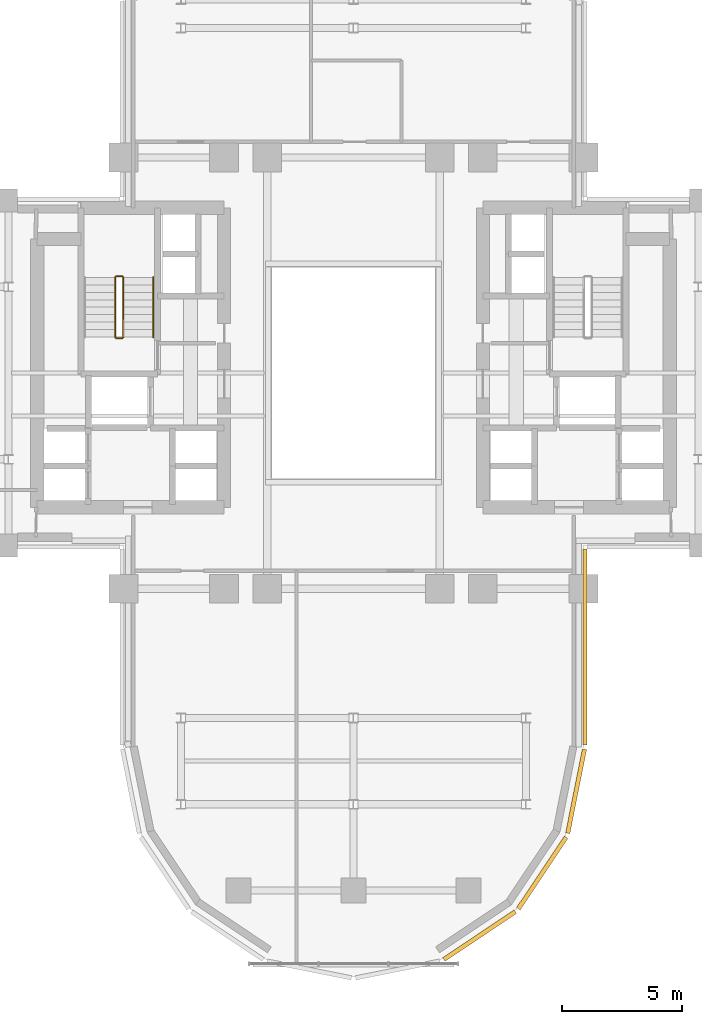
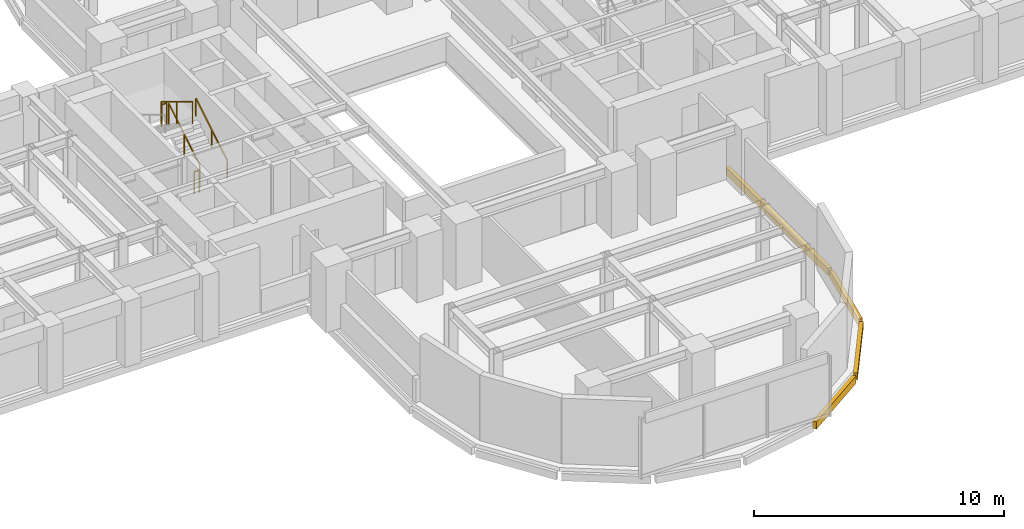
# One storey, part 14 of 16: 5 railings, 4 coverings.
"""IFC4 building model written with IfcOpenShell, lengths in metres."""

from ifc_helpers import new_model, si_unit, direction, frame, origin, origin_2d, place, context, subcontext, project, spatial, rectangle, extrude, source, transform, mapped, material, layer, layer_set, type_object, element, save


model = new_model("IFC4")

# Units and contexts
model_context = context("Model", 3, precision=1e-05, world=origin(), true_north=direction((0.0, 1.0)))
body_context = subcontext(model_context, "Body", "Model", "MODEL_VIEW")
ifc_project = project(units=[si_unit("LENGTHUNIT", "METRE"), si_unit("AREAUNIT", "SQUARE_METRE"), si_unit("VOLUMEUNIT", "CUBIC_METRE"), si_unit("PLANEANGLEUNIT", "RADIAN"), si_unit("MASSUNIT", "GRAM", prefix="KILO")], contexts=[model_context])

# Site, building, storey
site_placement = place(None, origin())
site = spatial("IfcSite", under=ifc_project, at=site_placement, CompositionType="ELEMENT")
building_placement = place(site_placement, origin())
building = spatial("IfcBuilding", under=site, at=building_placement, Name="Keilestroom Media Tower", CompositionType="ELEMENT")
storey_placement = place(building_placement, frame((0.0, 0.0, 34.0)))
storey = spatial("IfcBuildingStorey", under=building, at=storey_placement, Name="L07", CompositionType="ELEMENT", Elevation=34.0)

# Railings
ifc_material_1 = material(Name="Brushed Stainless Steel 1.4301", Category="steel")
railing_type_1 = type_object("IfcRailingType", Name="Stair-Pitch-Handrail-920", PredefinedType="HANDRAIL", material=ifc_material_1)
railing_1_placement = place(storey_placement, frame((-8.35009765625, 1.5, 0.18896484375)))
element("IfcRailing", 1, at=railing_1_placement, inside=storey, type_object=railing_type_1, Name="L07 ST-1 stair handrail 1", PredefinedType="HANDRAIL", context=body_context, shape_type="SweptSolid", body=[
    extrude(rectangle(XDim=0.048095703125, YDim=0.048095703125, at=origin_2d()), frame((0.0, 0.0, 0.8759765625), z_axis=(0.0, 0.855470815493, 0.517851024754), x_axis=(-1.0, 0.0, 0.0)), (0.0, 0.0, 1.0), 2.917724609375),
    extrude(rectangle(XDim=0.0419921875, YDim=0.0419921875, at=origin_2d()), origin(), (0.0, 0.0, 1.0), 0.84375),
    extrude(rectangle(XDim=0.0419921875, YDim=0.0419921875, at=origin_2d()), frame((0.0, 1.248046875, 0.75537109375)), (0.0, 0.0, 1.0), 0.84375),
    extrude(rectangle(XDim=0.0419921875, YDim=0.0419921875, at=origin_2d()), frame((0.0, 2.49609375, 1.510986328125)), (0.0, 0.0, 1.0), 0.84375),
])
ifc_material_2 = material(Name="Painted Steel Balustrade", Category="steel")
railing_type_2 = type_object("IfcRailingType", Name="Stair-Well-And-Landing-Guard-1100", PredefinedType="GUARDRAIL", material=ifc_material_2)
railing_2_placement = place(storey_placement, frame((-9.610107421875, 1.5, 0.18896484375)))
element("IfcRailing", 2, at=railing_2_placement, inside=storey, type_object=railing_type_2, Name="L07 ST-1 stair guard 1", PredefinedType="GUARDRAIL", context=body_context, shape_type="SweptSolid", body=[
    extrude(rectangle(XDim=0.048095703125, YDim=0.048095703125, at=origin_2d()), frame((0.0, 0.0, 1.076171875), z_axis=(0.0, 0.855470815493, 0.517851024754), x_axis=(-1.0, 0.0, 0.0)), (0.0, 0.0, 1.0), 2.917724609375),
    extrude(rectangle(XDim=0.0419921875, YDim=0.0419921875, at=origin_2d()), origin(), (0.0, 0.0, 1.0), 1.0439453125),
    extrude(rectangle(XDim=0.0419921875, YDim=0.0419921875, at=origin_2d()), frame((0.0, 1.248046875, 0.75537109375)), (0.0, 0.0, 1.0), 1.0439453125),
    extrude(rectangle(XDim=0.0419921875, YDim=0.0419921875, at=origin_2d()), frame((0.0, 2.49609375, 1.510986328125)), (0.0, 0.0, 1.0), 1.0439453125),
])
railing_3_placement = place(storey_placement, frame((-9.659912109375, 4.0458984375, 1.699951171875)))
element("IfcRailing", 3, at=railing_3_placement, inside=storey, type_object=railing_type_2, Name="L07 ST-1 stair guard 2", PredefinedType="GUARDRAIL", context=body_context, shape_type="SweptSolid", body=[
    extrude(rectangle(XDim=0.048095703125, YDim=0.048095703125, at=origin_2d()), frame((0.0, 0.0, 1.076171875), z_axis=(-1.0, 0.0, 0.0), x_axis=(0.0, -1.0, 0.0)), (0.0, 0.0, 1.0), 0.239990234375),
    extrude(rectangle(XDim=0.0419921875, YDim=0.0419921875, at=origin_2d()), origin(), (0.0, 0.0, 1.0), 1.0439453125),
    extrude(rectangle(XDim=0.0419921875, YDim=0.0419921875, at=origin_2d()), frame((-0.239990234375, 0.0, 0.0)), (0.0, 0.0, 1.0), 1.0439453125),
])
railing_4_placement = place(storey_placement, frame((-9.949951171875, 3.99609375, 1.888916015625)))
element("IfcRailing", 4, at=railing_4_placement, inside=storey, type_object=railing_type_2, Name="L07 ST-1 stair guard 3", PredefinedType="GUARDRAIL", context=body_context, shape_type="SweptSolid", body=[
    extrude(rectangle(XDim=0.048095703125, YDim=0.048095703125, at=origin_2d()), frame((0.0, 0.0, 1.076171875), z_axis=(0.0, -0.855470815493, 0.517851024754), x_axis=(1.0, 0.0, 0.0)), (0.0, 0.0, 1.0), 2.917724609375),
    extrude(rectangle(XDim=0.0419921875, YDim=0.0419921875, at=origin_2d()), origin(), (0.0, 0.0, 1.0), 1.0439453125),
    extrude(rectangle(XDim=0.0419921875, YDim=0.0419921875, at=origin_2d()), frame((0.0, -1.248046875, 0.75537109375)), (0.0, 0.0, 1.0), 1.0439453125),
    extrude(rectangle(XDim=0.0419921875, YDim=0.0419921875, at=origin_2d()), frame((0.0, -2.49609375, 1.510986328125)), (0.0, 0.0, 1.0), 1.0439453125),
])
railing_5_placement = place(storey_placement, frame((-9.659912109375, 1.449951171875, 0.0)))
element("IfcRailing", 5, at=railing_5_placement, inside=storey, type_object=railing_type_2, Name="L07 ST-1 stair guard 4", PredefinedType="GUARDRAIL", context=body_context, shape_type="SweptSolid", body=[
    extrude(rectangle(XDim=0.048095703125, YDim=0.048095703125, at=origin_2d()), frame((0.0, 0.0, 1.076171875), z_axis=(-1.0, 0.0, 0.0), x_axis=(0.0, -1.0, 0.0)), (0.0, 0.0, 1.0), 0.239990234375),
    extrude(rectangle(XDim=0.0419921875, YDim=0.0419921875, at=origin_2d()), origin(), (0.0, 0.0, 1.0), 1.0439453125),
    extrude(rectangle(XDim=0.0419921875, YDim=0.0419921875, at=origin_2d()), frame((-0.239990234375, 0.0, 0.0)), (0.0, 0.0, 1.0), 1.0439453125),
])

# Coverings
ifc_material_3 = material(Name="Precast concrete C40/50", Category="concrete")
ifc_layer = layer(ifc_material_3, 0.1201171875)
ifc_layer_set = layer_set([ifc_layer], Name="Precast concrete C40/50")
covering_type = type_object("IfcCoveringType", Name="Exterior-Precast-Spandrel-Cladding-Panel-120", PredefinedType="CLADDING", material=ifc_layer_set)
shared_shape_1 = source(origin(), body_context, "Body", "SweptSolid", [
    extrude(rectangle(XDim=8.166015625, YDim=0.179931640625, at=origin_2d()), origin(), (0.0, 0.0, 1.0), 0.360107421875),
])
covering_1_placement = place(storey_placement, frame((9.659912109375, -11.43310546875, -0.5400390625), z_axis=(0.0, 0.0, 1.0), x_axis=(0.0, -1.0, 0.0)))
element("IfcCovering", 6, at=covering_1_placement, inside=storey, type_object=covering_type, Name="L07 Precast Slab-Edge Fascia Cornice 06", PredefinedType="CLADDING", context=body_context, shape_type="MappedRepresentation", body=[
    mapped(shared_shape_1, transform((0.0, 0.0, 0.0), x_axis=(1.0, 0.0, 0.0), y_axis=(0.0, 1.0, 0.0), z_axis=(0.0, 0.0, 1.0), scale=1.0)),
])
shared_shape_2 = source(origin(), body_context, "Body", "SweptSolid", [
    extrude(rectangle(XDim=3.58349609375, YDim=0.179931640625, at=origin_2d()), origin(), (0.0, 0.0, 1.0), 0.360107421875),
])
covering_2_placement = place(storey_placement, frame((9.29296875, -17.45166015625, -0.5400390625), z_axis=(0.0, 0.0, 1.0), x_axis=(-0.195098880975, -0.980783577882, 0.0)))
element("IfcCovering", 7, at=covering_2_placement, inside=storey, type_object=covering_type, Name="L07 Precast Slab-Edge Fascia Cornice 07", PredefinedType="CLADDING", context=body_context, shape_type="MappedRepresentation", body=[
    mapped(shared_shape_2, transform((0.0, 0.0, 0.0), x_axis=(1.0, 0.0, 0.0), y_axis=(0.0, 1.0, 0.0), z_axis=(0.0, 0.0, 1.0), scale=1.0)),
])
shared_shape_3 = source(origin(), body_context, "Body", "SweptSolid", [
    extrude(rectangle(XDim=3.589599609375, YDim=0.179931640625, at=origin_2d()), origin(), (0.0, 0.0, 1.0), 0.360107421875),
])
for number, where, z_axis, x_axis, name in (
    (8, (7.878662109375, -20.8642578125, -0.5400390625), (0.0, 0.0, 1.0), (-0.555574586577, -0.831466703332, 0.0), "L07 Precast Slab-Edge Fascia Cornice 08"),
    (9, (5.264404296875, -23.478515625, -0.5400390625), (0.0, 0.0, 1.0), (-0.831466703332, -0.555574586577, 0.0), "L07 Precast Slab-Edge Fascia Cornice 09"),
):
    element("IfcCovering", number, at=place(storey_placement, frame(where, z_axis=z_axis, x_axis=x_axis)), inside=storey, type_object=covering_type, Name=name, PredefinedType="CLADDING", context=body_context, shape_type="MappedRepresentation", body=[
        mapped(shared_shape_3, transform((0.0, 0.0, 0.0), x_axis=(1.0, 0.0, 0.0), y_axis=(0.0, 1.0, 0.0), z_axis=(0.0, 0.0, 1.0), scale=1.0)),
    ])

save(model, "model.ifc")
